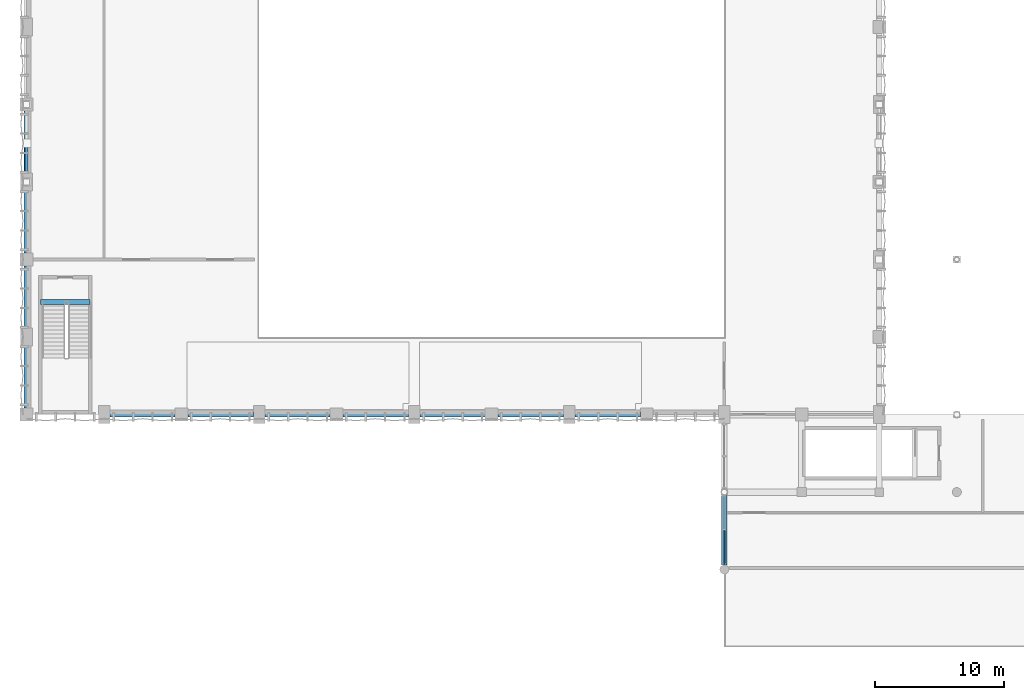
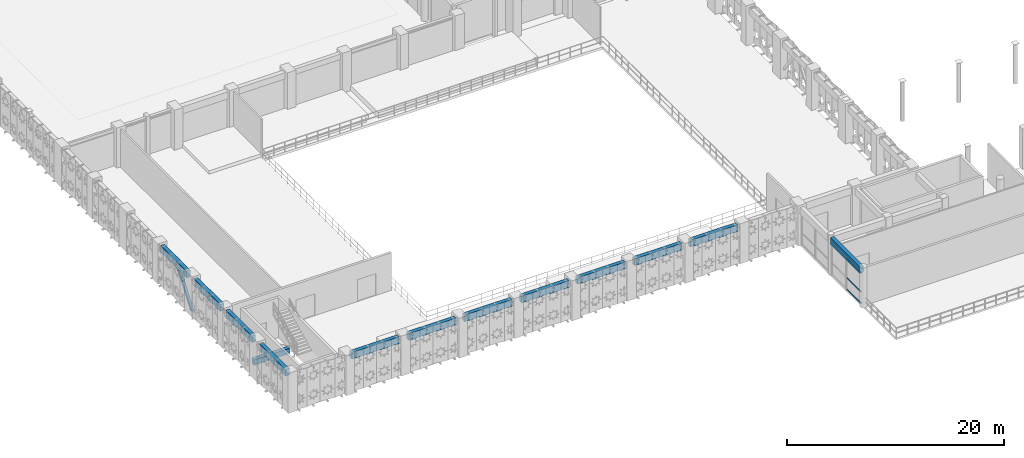
# One storey, part 15 of 116: 13 beams, 4 members, 1 element without a shape of its own.
"""IFC4 building model written with IfcOpenShell, lengths in metres."""

from ifc_helpers import new_model, si_unit, direction, frame, origin, origin_2d, place, context, subcontext, project, spatial, rectangle, hollow_rectangle, extrude, material, material_profile, profile_set, type_object, element, aggregate, save


model = new_model("IFC4")

# Units and contexts
model_context = context("Model", 3, precision=1e-05, world=origin(), true_north=direction((0.0, 1.0)))
body_context = subcontext(model_context, "Body", "Model", "MODEL_VIEW")
ifc_project = project(units=[si_unit("LENGTHUNIT", "METRE"), si_unit("AREAUNIT", "SQUARE_METRE"), si_unit("VOLUMEUNIT", "CUBIC_METRE"), si_unit("PLANEANGLEUNIT", "RADIAN"), si_unit("MASSUNIT", "GRAM", prefix="KILO"), si_unit("THERMODYNAMICTEMPERATUREUNIT", "KELVIN"), si_unit("POWERUNIT", "WATT")], contexts=[model_context])

# Site, building, storey
site_placement = place(None, origin())
site = spatial("IfcSite", under=ifc_project, at=site_placement, CompositionType="ELEMENT")
building_placement = place(site_placement, origin())
building = spatial("IfcBuilding", under=site, at=building_placement, Name="Phaisarnlok Congress Hotel", CompositionType="ELEMENT")
storey_placement = place(building_placement, frame((0.0, 0.0, 10.5)))
storey = spatial("IfcBuildingStorey", under=building, at=storey_placement, Name="L02", CompositionType="ELEMENT", Elevation=10.5)

# Beam
ifc_material_1 = material(Name="Concrete C40/50", Category="concrete")
ifc_material_profile_1 = material_profile(ifc_material_1, rectangle(XDim=0.39990234375, YDim=0.60009765625, at=origin_2d()), Name="RC 400x600")
ifc_profile_set_1 = profile_set([ifc_material_profile_1], Name="Concrete C40/50")
beam_type_1 = type_object("IfcBeamType", Name="BM-RC-400x600", PredefinedType="BEAM", material=ifc_profile_set_1)
beam_1_placement = place(storey_placement, frame((1.080078125, 50.719970703125, -0.300048828125), z_axis=(1.0, 0.0, 0.0), x_axis=(0.0, 1.0, 0.0)))
element("IfcBeam", 1, at=beam_1_placement, inside=storey, type_object=beam_type_1, Name="Stair landing header beam B-02 (STAIR-W L02)", PredefinedType="BEAM", context=body_context, shape_type="SweptSolid", body=[
    extrude(rectangle(XDim=0.39990234375, YDim=0.60009765625, at=origin_2d()), origin(), (0.0, 0.0, 1.0), 3.83984375),
])

# Curtain wall, members
ifc_material_2 = material(Name="Thermally Broken Unitised Aluminium & Low-E Glazing", Category="aluminium")
curtain_wall_type = type_object("IfcCurtainWallType", Name="CW-UNIT-17", PredefinedType="NOTDEFINED", material=ifc_material_2)
curtain_wall_placement = place(storey_placement, origin())
curtain_wall = element("IfcCurtainWall", 2, at=curtain_wall_placement, inside=storey, type_object=curtain_wall_type, Name="Unitised curtain wall CW-17 (L02)", PredefinedType="NOTDEFINED")
ifc_material_3 = material(Name="Anodised Aluminium Alloy 6063-T6", Category="aluminium")
ifc_material_profile_2 = material_profile(ifc_material_3, hollow_rectangle(XDim=0.06494140625, YDim=0.139892578125, WallThickness=0.00390625, at=origin_2d()), Name="ALU-T 65x140x4")
ifc_profile_set_2 = profile_set([ifc_material_profile_2], Name="Anodised Aluminium Alloy 6063-T6")
member_type_1 = type_object("IfcMemberType", Name="CWT-150", PredefinedType="USERDEFINED", material=ifc_profile_set_2)
member_1_placement = place(storey_placement, frame((54.0, 33.032958984375, 0.050048828125), z_axis=(0.0, -1.0, 0.0), x_axis=(1.0, 0.0, 0.0)))
member_1 = element("IfcMember", 3, at=member_1_placement, type_object=member_type_1, Name="Curtain wall transom CWT-01", ObjectType="TRANSOM", PredefinedType="USERDEFINED", context=body_context, shape_type="SweptSolid", body=[
    extrude(hollow_rectangle(XDim=0.06494140625, YDim=0.139892578125, WallThickness=0.00390625, at=origin_2d()), origin(), (0.0, 0.0, 1.0), 2.657958984375),
])
member_2_placement = place(storey_placement, frame((54.0, 33.032958984375, 1.333740234375), z_axis=(0.0, -1.0, 0.0), x_axis=(1.0, 0.0, 0.0)))
member_2 = element("IfcMember", 4, at=member_2_placement, type_object=member_type_1, Name="Curtain wall transom CWT-01", ObjectType="TRANSOM", PredefinedType="USERDEFINED", context=body_context, shape_type="SweptSolid", body=[
    extrude(hollow_rectangle(XDim=0.06494140625, YDim=0.139892578125, WallThickness=0.00390625, at=origin_2d()), origin(), (0.0, 0.0, 1.0), 2.657958984375),
])
member_3_placement = place(storey_placement, frame((54.0, 33.032958984375, 3.4599609375), z_axis=(0.0, -1.0, 0.0), x_axis=(1.0, 0.0, 0.0)))
member_3 = element("IfcMember", 5, at=member_3_placement, type_object=member_type_1, Name="Curtain wall transom CWT-01", ObjectType="TRANSOM", PredefinedType="USERDEFINED", context=body_context, shape_type="SweptSolid", body=[
    extrude(hollow_rectangle(XDim=0.06494140625, YDim=0.139892578125, WallThickness=0.00390625, at=origin_2d()), origin(), (0.0, 0.0, 1.0), 2.657958984375),
])
aggregate(curtain_wall, [member_1, member_2, member_3])

# Member
ifc_material_4 = material(Name="Steel S355", Category="steel")
ifc_material_profile_3 = material_profile(ifc_material_4, hollow_rectangle(XDim=0.260009765625, YDim=0.260009765625, WallThickness=0.01611328125, at=origin_2d()), Name="SHS 260x260x16")
ifc_profile_set_3 = profile_set([ifc_material_profile_3], Name="Steel S355")
member_type_2 = type_object("IfcMemberType", Name="MEM-BRC-SHS260-EXT", PredefinedType="BRACE", material=ifc_profile_set_3)
member_4_placement = place(storey_placement, frame((0.0, 60.0, 0.14990234375), z_axis=(0.0, 0.602869179166, 0.797840054655), x_axis=(-1.0, 0.0, 0.0)))
element("IfcMember", 6, at=member_4_placement, inside=storey, type_object=member_type_2, Name="Lateral braced frame diagonal", PredefinedType="BRACE", context=body_context, shape_type="SweptSolid", body=[
    extrude(hollow_rectangle(XDim=0.260009765625, YDim=0.260009765625, WallThickness=0.01611328125, at=origin_2d()), origin(), (0.0, 0.0, 1.0), 4.976318359375),
])

# Beams
ifc_material_profile_4 = material_profile(ifc_material_1, rectangle(XDim=0.39990234375, YDim=0.75, at=origin_2d()), Name="RC 400x750")
ifc_profile_set_4 = profile_set([ifc_material_profile_4], Name="Concrete C40/50")
beam_type_2 = type_object("IfcBeamType", Name="SP-RC-400x750", PredefinedType="SPANDREL", material=ifc_profile_set_4)
for number, where, z_axis, x_axis, name in (
    (7, (0.0, 42.4951171875, 3.864990234375), (0.0, 1.0, 0.0), (-1.0, 0.0, 0.0), "Beam SP-02"),
    (8, (0.0, 48.695068359375, 3.864990234375), (0.0, 1.0, 0.0), (-1.0, 0.0, 0.0), "Beam SP-02"),
    (9, (0.0, 54.4951171875, 3.864990234375), (0.0, 1.0, 0.0), (-1.0, 0.0, 0.0), "Beam SP-02"),
    (10, (0.0, 60.695068359375, 3.864990234375), (0.0, 1.0, 0.0), (-1.0, 0.0, 0.0), "Beam SP-02"),
):
    element("IfcBeam", number, at=place(storey_placement, frame(where, z_axis=z_axis, x_axis=x_axis)), inside=storey, type_object=beam_type_2, Name=name, PredefinedType="SPANDREL", context=body_context, shape_type="SweptSolid", body=[
        extrude(rectangle(XDim=0.39990234375, YDim=0.75, at=origin_2d()), origin(), (0.0, 0.0, 1.0), 4.809814453125),
    ])
for number, where, z_axis, x_axis, name in (
    (11, (6.445068359375, 42.0, 3.864990234375), (1.0, 0.0, 0.0), (0.0, 1.0, 0.0), "Beam SP-02"),
    (12, (12.4951171875, 42.0, 3.864990234375), (1.0, 0.0, 0.0), (0.0, 1.0, 0.0), "Beam SP-02"),
    (13, (18.445068359375, 42.0, 3.864990234375), (1.0, 0.0, 0.0), (0.0, 1.0, 0.0), "Beam SP-02"),
    (14, (24.4951171875, 42.0, 3.864990234375), (1.0, 0.0, 0.0), (0.0, 1.0, 0.0), "Beam SP-02"),
    (15, (30.445068359375, 42.0, 3.864990234375), (1.0, 0.0, 0.0), (0.0, 1.0, 0.0), "Beam SP-02"),
    (16, (36.4951171875, 42.0, 3.864990234375), (1.0, 0.0, 0.0), (0.0, 1.0, 0.0), "Beam SP-02"),
    (17, (42.445068359375, 42.0, 3.864990234375), (1.0, 0.0, 0.0), (0.0, 1.0, 0.0), "Beam SP-02"),
):
    element("IfcBeam", number, at=place(storey_placement, frame(where, z_axis=z_axis, x_axis=x_axis)), inside=storey, type_object=beam_type_2, Name=name, PredefinedType="SPANDREL", context=body_context, shape_type="SweptSolid", body=[
        extrude(rectangle(XDim=0.39990234375, YDim=0.75, at=origin_2d()), origin(), (0.0, 0.0, 1.0), 5.059814453125),
    ])
beam_2_placement = place(storey_placement, frame((54.0, 30.344970703125, 3.885009765625), z_axis=(0.0, 1.0, 0.0), x_axis=(-1.0, 0.0, 0.0)))
element("IfcBeam", 18, at=beam_2_placement, inside=storey, type_object=beam_type_2, Name="Beam SP-02", PredefinedType="SPANDREL", context=body_context, shape_type="SweptSolid", body=[
    extrude(rectangle(XDim=0.39990234375, YDim=0.75, at=origin_2d()), origin(), (0.0, 0.0, 1.0), 5.406005859375),
])

save(model, "model.ifc")
